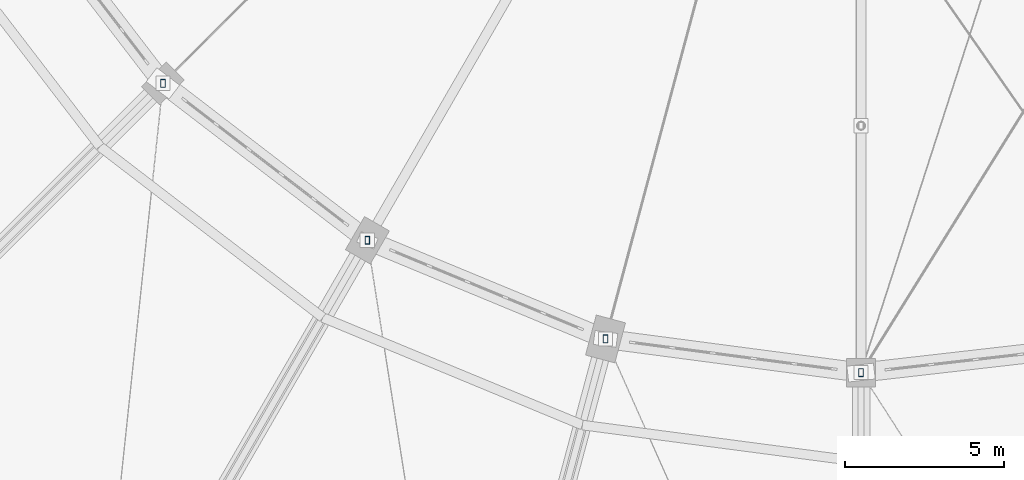
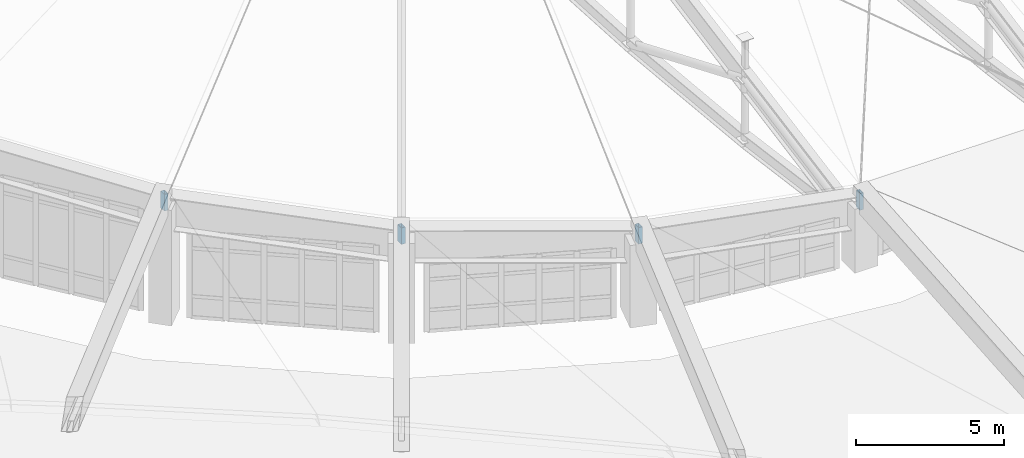
# One storey, part 41 of 68: 4 members.
"""IFC4 building model written with IfcOpenShell, lengths in metres."""

from ifc_helpers import new_model, si_unit, direction, frame, origin, origin_2d, place, context, subcontext, project, spatial, hollow_rectangle, extrude, material, material_profile, profile_set, type_object, element, save


model = new_model("IFC4")

# Units and contexts
model_context = context("Model", 3, precision=1e-05, world=origin(), true_north=direction((0.0, 1.0)))
body_context = subcontext(model_context, "Body", "Model", "MODEL_VIEW")
ifc_project = project(units=[si_unit("LENGTHUNIT", "METRE"), si_unit("AREAUNIT", "SQUARE_METRE"), si_unit("VOLUMEUNIT", "CUBIC_METRE"), si_unit("PLANEANGLEUNIT", "RADIAN"), si_unit("MASSUNIT", "GRAM", prefix="KILO")], contexts=[model_context])

# Site, building, storey
site_placement = place(None, origin())
site = spatial("IfcSite", under=ifc_project, at=site_placement, CompositionType="ELEMENT")
building_placement = place(site_placement, origin())
building = spatial("IfcBuilding", under=site, at=building_placement, Name="Sohan Crest Arena", CompositionType="ELEMENT")
storey_placement = place(building_placement, frame((0.0, 0.0, 27.0)))
storey = spatial("IfcBuildingStorey", under=building, at=storey_placement, Name="RF", CompositionType="ELEMENT", Elevation=27.0)

# Members
ifc_material = material(Name="Steel S355", Category="steel")
ifc_material_profile = material_profile(ifc_material, hollow_rectangle(XDim=0.14990234375, YDim=0.25, WallThickness=0.010009765625, at=origin_2d()), Name="RHS 250x150x10")
ifc_profile_set = profile_set([ifc_material_profile], Name="Steel S355")
member_type = type_object("IfcMemberType", Name="STR-MEM-CH02", PredefinedType="CHORD", material=ifc_profile_set)
member_1_placement = place(storey_placement, frame((76.080078125, 56.080078125, 4.406982421875), z_axis=(0.0, 0.0, 1.0), x_axis=(1.0, 0.0, 0.0)))
element("IfcMember", 1, at=member_1_placement, inside=storey, type_object=member_type, Name="Ring beam roof bearing saddle chord RSR-10", PredefinedType="CHORD", context=body_context, shape_type="SweptSolid", body=[
    extrude(hollow_rectangle(XDim=0.14990234375, YDim=0.25, WallThickness=0.010009765625, at=origin_2d()), origin(), (0.0, 0.0, 1.0), 0.68505859375),
])
for number, where, z_axis, x_axis, name in (
    (2, (82.5, 51.153076171875, 3.76806640625), (0.0, 0.0, 1.0), (1.0, 0.0, 0.0), "Ring beam roof bearing saddle chord RSR-11"),
    (3, (89.97705078125, 48.055908203125, 3.0380859375), (0.0, 0.0, 1.0), (1.0, 0.0, 0.0), "Ring beam roof bearing saddle chord RSR-12"),
):
    element("IfcMember", number, at=place(storey_placement, frame(where, z_axis=z_axis, x_axis=x_axis)), inside=storey, type_object=member_type, Name=name, PredefinedType="CHORD", context=body_context, shape_type="SweptSolid", body=[
        extrude(hollow_rectangle(XDim=0.14990234375, YDim=0.25, WallThickness=0.010009765625, at=origin_2d()), origin(), (0.0, 0.0, 1.0), 0.684814453125),
    ])
member_2_placement = place(storey_placement, frame((98.0, 47.0, 2.27099609375), z_axis=(0.0, 0.0, 1.0), x_axis=(1.0, 0.0, 0.0)))
element("IfcMember", 4, at=member_2_placement, inside=storey, type_object=member_type, Name="Ring beam roof bearing saddle chord RSR-13", PredefinedType="CHORD", context=body_context, shape_type="SweptSolid", body=[
    extrude(hollow_rectangle(XDim=0.14990234375, YDim=0.25, WallThickness=0.010009765625, at=origin_2d()), origin(), (0.0, 0.0, 1.0), 0.68505859375),
])

save(model, "model.ifc")
